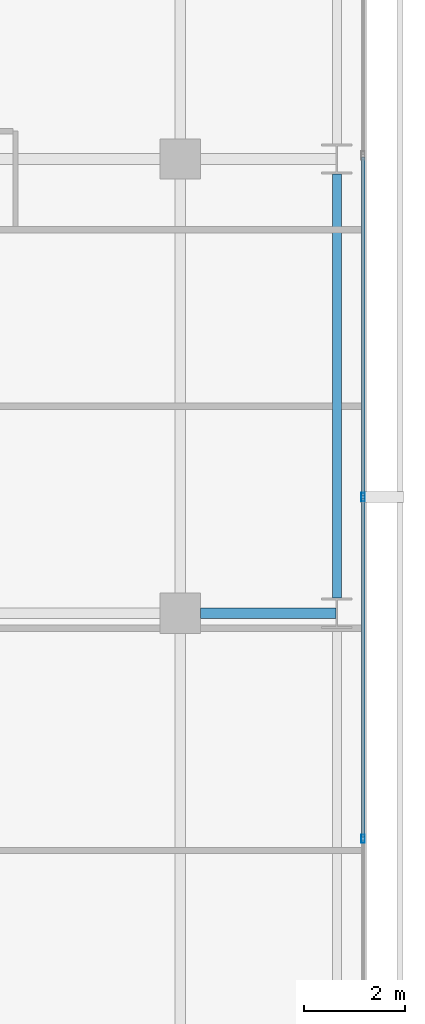
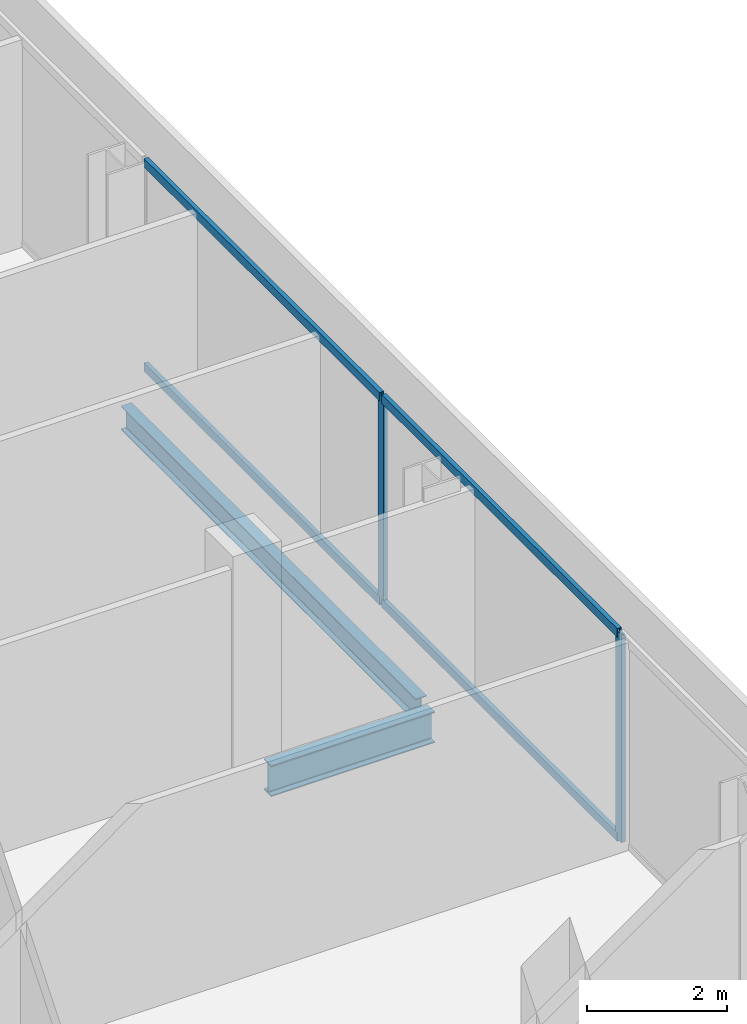
# One storey, part 17 of 34: 6 members, 2 beams, 1 element without a shape of its own.
"""IFC4 building model written with IfcOpenShell, lengths in metres."""

from ifc_helpers import new_model, si_unit, direction, frame, origin, origin_2d, place, context, subcontext, project, spatial, hollow_rectangle, i_section, extrude, material, layer, layer_set, material_profile, profile_set, type_object, element, aggregate, save


model = new_model("IFC4")

# Units and contexts
model_context = context("Model", 3, precision=1e-05, world=origin(), true_north=direction((0.0, 1.0)))
body_context = subcontext(model_context, "Body", "Model", "MODEL_VIEW")
ifc_project = project(units=[si_unit("LENGTHUNIT", "METRE"), si_unit("AREAUNIT", "SQUARE_METRE"), si_unit("VOLUMEUNIT", "CUBIC_METRE"), si_unit("PLANEANGLEUNIT", "RADIAN"), si_unit("MASSUNIT", "GRAM", prefix="KILO")], contexts=[model_context])

# Site, building, storey
site_placement = place(None, origin())
site = spatial("IfcSite", under=ifc_project, at=site_placement, CompositionType="ELEMENT")
building_placement = place(site_placement, origin())
building = spatial("IfcBuilding", under=site, at=building_placement, Name="Maruvema Waterfront Hotel and Observation Tower", CompositionType="ELEMENT")
storey_placement = place(building_placement, frame((0.0, 0.0, 215.949951171875)))
storey = spatial("IfcBuildingStorey", under=building, at=storey_placement, Name="L53", CompositionType="ELEMENT", Elevation=215.949951171875)

# Curtain wall, members
ifc_material_1 = material(Name="Anodised bronze aluminium and solar-control low-E IGU", Category="aluminium")
ifc_layer = layer(ifc_material_1, 0.159912109375, Name="Zone 2 Amber Inner Thermal Curtain Wall System CW-03")
ifc_layer_set = layer_set([ifc_layer], Name="Anodised bronze aluminium and solar-control low-E IGU")
curtain_wall_type = type_object("IfcCurtainWallType", Name="Zone 2 Amber Inner Thermal Curtain Wall System CW-03", PredefinedType="USERDEFINED", material=ifc_layer_set)
curtain_wall_placement = place(storey_placement, origin())
curtain_wall = element("IfcCurtainWall", 1, at=curtain_wall_placement, inside=storey, type_object=curtain_wall_type, Name="L53 Curtain Wall CW-L53-E", ObjectType="UNITISED CURTAIN WALL", PredefinedType="USERDEFINED")
ifc_material_2 = material(Name="Anodised architectural bronze aluminium", Category="aluminium")
ifc_material_profile_1 = material_profile(ifc_material_2, hollow_rectangle(XDim=0.070068359375, YDim=0.14990234375, WallThickness=0.00390625, at=origin_2d()), Name="ALU-T70x150")
ifc_profile_set_1 = profile_set([ifc_material_profile_1], Name="Anodised architectural bronze aluminium")
member_type_1 = type_object("IfcMemberType", Name="Curtain Wall Horizontal Transom ALU-T70x150", PredefinedType="USERDEFINED", material=ifc_profile_set_1)
member_1_placement = place(storey_placement, frame((62.419921875, 22.563232421875, 0.030029296875), z_axis=(0.0, 1.0, 0.0), x_axis=(-1.0, 0.0, 0.0)))
member_1 = element("IfcMember", 2, at=member_1_placement, type_object=member_type_1, Name="CW-03 transom 3.1", ObjectType="TRANSOM", PredefinedType="USERDEFINED", context=body_context, shape_type="SweptSolid", body=[
    extrude(hollow_rectangle(XDim=0.070068359375, YDim=0.14990234375, WallThickness=0.00390625, at=origin_2d()), origin(), (0.0, 0.0, 1.0), 6.706787109375),
])
member_2_placement = place(storey_placement, frame((62.419921875, 22.563232421875, 3.580078125), z_axis=(0.0, 1.0, 0.0), x_axis=(-1.0, 0.0, 0.0)))
member_2 = element("IfcMember", 3, at=member_2_placement, type_object=member_type_1, Name="CW-03 transom 3.2", ObjectType="TRANSOM", PredefinedType="USERDEFINED", context=body_context, shape_type="SweptSolid", body=[
    extrude(hollow_rectangle(XDim=0.070068359375, YDim=0.14990234375, WallThickness=0.00390625, at=origin_2d()), origin(), (0.0, 0.0, 1.0), 6.706787109375),
])
member_3_placement = place(storey_placement, frame((62.419921875, 29.330078125, 0.030029296875), z_axis=(0.0, 1.0, 0.0), x_axis=(-1.0, 0.0, 0.0)))
member_3 = element("IfcMember", 4, at=member_3_placement, type_object=member_type_1, Name="CW-03 transom 4.1", ObjectType="TRANSOM", PredefinedType="USERDEFINED", context=body_context, shape_type="SweptSolid", body=[
    extrude(hollow_rectangle(XDim=0.070068359375, YDim=0.14990234375, WallThickness=0.00390625, at=origin_2d()), origin(), (0.0, 0.0, 1.0), 6.70654296875),
])
member_4_placement = place(storey_placement, frame((62.419921875, 29.330078125, 3.580078125), z_axis=(0.0, 1.0, 0.0), x_axis=(-1.0, 0.0, 0.0)))
member_4 = element("IfcMember", 5, at=member_4_placement, type_object=member_type_1, Name="CW-03 transom 4.2", ObjectType="TRANSOM", PredefinedType="USERDEFINED", context=body_context, shape_type="SweptSolid", body=[
    extrude(hollow_rectangle(XDim=0.070068359375, YDim=0.14990234375, WallThickness=0.00390625, at=origin_2d()), origin(), (0.0, 0.0, 1.0), 6.70654296875),
])
ifc_material_3 = material(Name="Anodised architectural bronze aluminium", Category="aluminium")
ifc_material_profile_2 = material_profile(ifc_material_3, hollow_rectangle(XDim=0.06494140625, YDim=0.1650390625, WallThickness=0.00390625, at=origin_2d()), Name="ALU-M65x165")
ifc_profile_set_2 = profile_set([ifc_material_profile_2], Name="Anodised architectural bronze aluminium")
member_type_2 = type_object("IfcMemberType", Name="Curtain Wall Primary Mullion ALU-M65x165", PredefinedType="MULLION", material=ifc_profile_set_2)
member_5_placement = place(storey_placement, frame((62.419921875, 22.533447265625, 0.0), z_axis=(0.0, 0.0, 1.0), x_axis=(-1.0, 0.0, 0.0)))
member_5 = element("IfcMember", 6, at=member_5_placement, type_object=member_type_2, Name="CW-03 mullion 3", PredefinedType="MULLION", context=body_context, shape_type="SweptSolid", body=[
    extrude(hollow_rectangle(XDim=0.06494140625, YDim=0.1650390625, WallThickness=0.00390625, at=origin_2d()), origin(), (0.0, 0.0, 1.0), 3.610107421875),
])
member_6_placement = place(storey_placement, frame((62.419921875, 29.300048828125, 0.0), z_axis=(0.0, 0.0, 1.0), x_axis=(-1.0, 0.0, 0.0)))
member_6 = element("IfcMember", 7, at=member_6_placement, type_object=member_type_2, Name="CW-03 mullion 4", PredefinedType="MULLION", context=body_context, shape_type="SweptSolid", body=[
    extrude(hollow_rectangle(XDim=0.06494140625, YDim=0.1650390625, WallThickness=0.00390625, at=origin_2d()), origin(), (0.0, 0.0, 1.0), 3.610107421875),
])
aggregate(curtain_wall, [member_5, member_6, member_1, member_2, member_3, member_4])

# Beams
ifc_material_4 = material(Name="Steel ASTM A572 Grade 50", Category="steel")
ifc_material_profile_3 = material_profile(ifc_material_4, i_section(OverallWidth=0.178955078125, OverallDepth=0.409912109375, WebThickness=0.0087890625, FlangeThickness=0.014404296875, FilletRadius=0.014892578125, at=origin_2d()), Name="W410x67.0")
ifc_profile_set_3 = profile_set([ifc_material_profile_3], Name="Steel ASTM A572 Grade 50")
beam_type_1 = type_object("IfcBeamType", Name="Perimeter Spandrel Beam W410x67.0", PredefinedType="SPANDREL", material=ifc_profile_set_3)
beam_1_placement = place(storey_placement, frame((61.89990234375, 27.300048828125, -0.445068359375), z_axis=(0.0, 1.0, 0.0), x_axis=(-1.0, 0.0, 0.0)))
element("IfcBeam", 8, at=beam_1_placement, inside=storey, type_object=beam_type_1, Name="L53 Floor Girder NS-31", PredefinedType="SPANDREL", context=body_context, shape_type="SweptSolid", body=[
    extrude(i_section(OverallWidth=0.178955078125, OverallDepth=0.409912109375, WebThickness=0.0087890625, FlangeThickness=0.014404296875, FilletRadius=0.014892578125, at=origin_2d()), origin(), (0.0, 0.0, 1.0), 8.39990234375),
])
ifc_material_5 = material(Name="Steel ASTM A572 Grade 50", Category="steel")
ifc_material_profile_4 = material_profile(ifc_material_5, i_section(OverallWidth=0.2109375, OverallDepth=0.5390625, WebThickness=0.01171875, FlangeThickness=0.018798828125, FilletRadius=0.014892578125, at=origin_2d()), Name="W530x109.0")
ifc_profile_set_4 = profile_set([ifc_material_profile_4], Name="Steel ASTM A572 Grade 50")
beam_type_2 = type_object("IfcBeamType", Name="Primary Floor Girder W530x109.0", PredefinedType="BEAM", material=ifc_profile_set_4)
beam_2_placement = place(storey_placement, frame((59.199951171875, 27.0, -0.509521484375), z_axis=(1.0, 0.0, 0.0), x_axis=(0.0, 1.0, 0.0)))
element("IfcBeam", 9, at=beam_2_placement, inside=storey, type_object=beam_type_2, Name="L53 Floor Girder EW-22", PredefinedType="BEAM", context=body_context, shape_type="SweptSolid", body=[
    extrude(i_section(OverallWidth=0.2109375, OverallDepth=0.5390625, WebThickness=0.01171875, FlangeThickness=0.018798828125, FilletRadius=0.014892578125, at=origin_2d()), origin(), (0.0, 0.0, 1.0), 2.6875),
])

save(model, "model.ifc")
